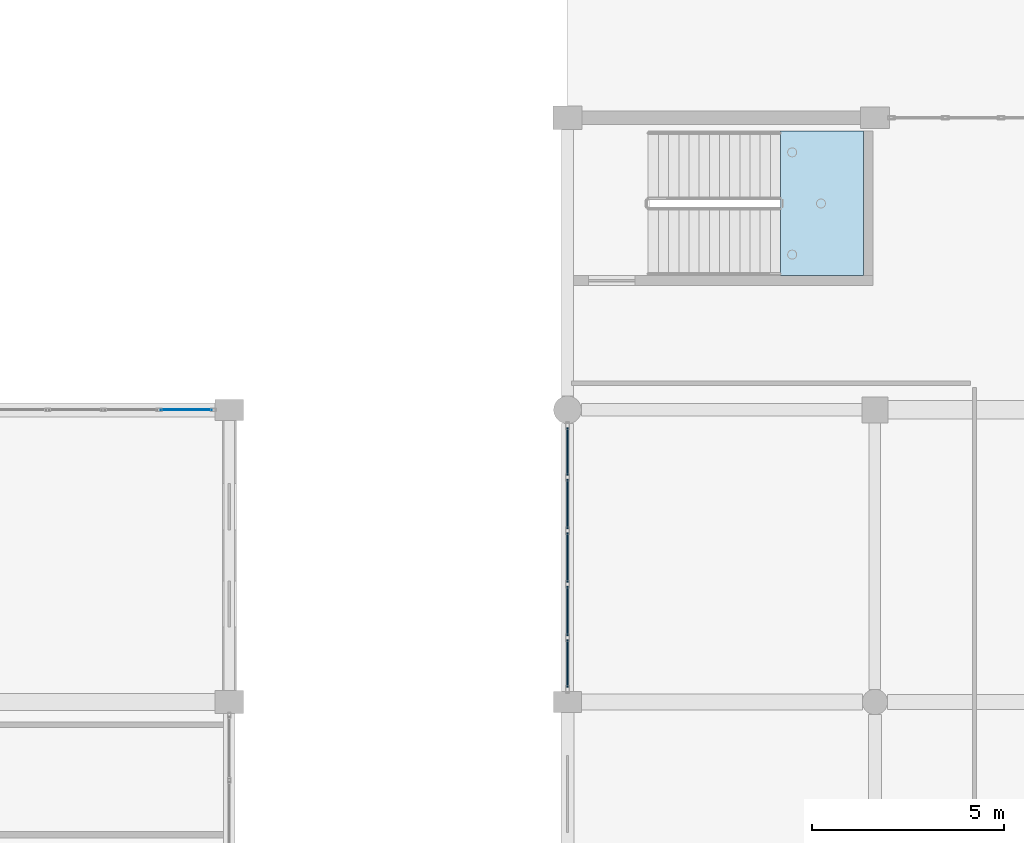
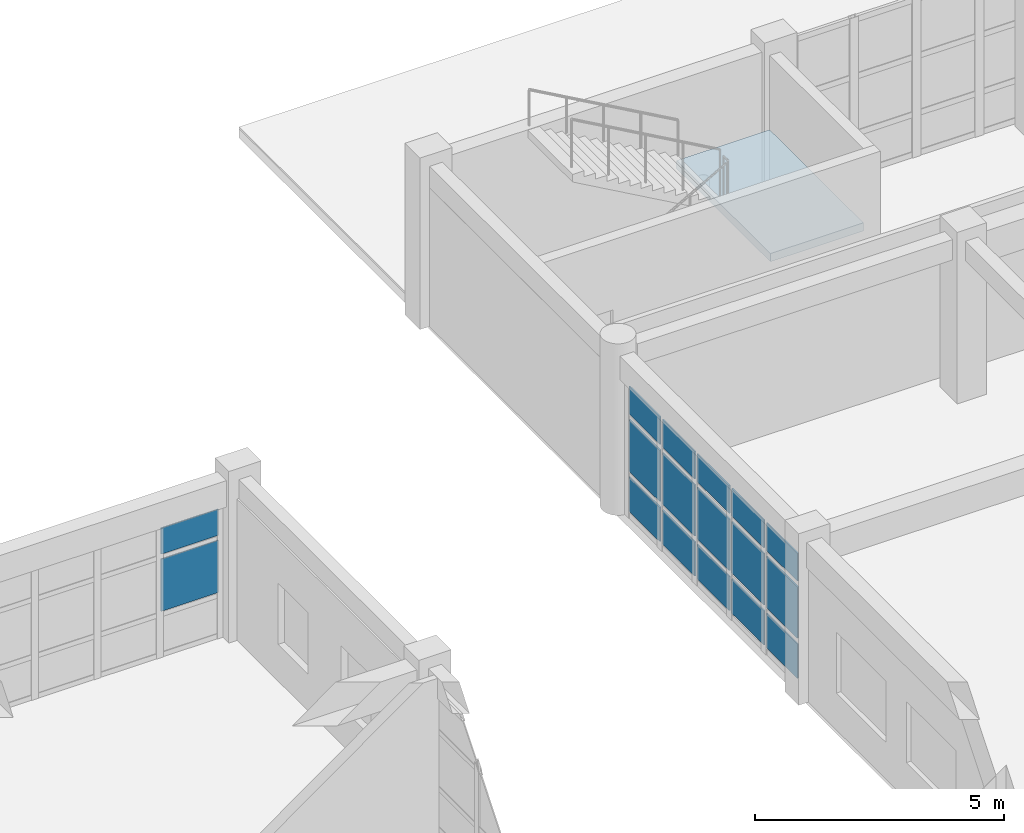
# One storey, part 147 of 195: 17 plates, 1 slab, 3 elements without a shape of their own.
"""IFC4 building model written with IfcOpenShell, lengths in metres."""

from ifc_helpers import new_model, si_unit, direction, frame, origin, origin_2d, place, context, subcontext, project, spatial, polyline, rectangle, outline, extrude, material, layer, layer_set, type_object, element, aggregate, save


model = new_model("IFC4")

# Units and contexts
model_context = context("Model", 3, precision=1e-05, world=origin(), true_north=direction((0.0, 1.0)))
body_context = subcontext(model_context, "Body", "Model", "MODEL_VIEW")
ifc_project = project(units=[si_unit("LENGTHUNIT", "METRE"), si_unit("AREAUNIT", "SQUARE_METRE"), si_unit("VOLUMEUNIT", "CUBIC_METRE"), si_unit("PLANEANGLEUNIT", "RADIAN"), si_unit("MASSUNIT", "GRAM", prefix="KILO")], contexts=[model_context])

# Site, building, storey
site_placement = place(None, origin())
site = spatial("IfcSite", under=ifc_project, at=site_placement, CompositionType="ELEMENT")
building_placement = place(site_placement, origin())
building = spatial("IfcBuilding", under=site, at=building_placement, Name="Kharva Crest Polytechnic", CompositionType="ELEMENT")
storey_placement = place(building_placement, frame((0.0, 0.0, 9.0)))
storey = spatial("IfcBuildingStorey", under=building, at=storey_placement, Name="L02", CompositionType="ELEMENT", Elevation=9.0)

# Curtain wall, plates
ifc_material_1 = material(Name="Tempered insulated glass", Category="glass")
curtain_wall_type_1 = type_object("IfcCurtainWallType", Name="CW-SYS-COURT", PredefinedType="USERDEFINED", material=ifc_material_1)
curtain_wall_1_placement = place(storey_placement, origin())
curtain_wall_1 = element("IfcCurtainWall", 1, at=curtain_wall_1_placement, inside=storey, type_object=curtain_wall_type_1, Name="L02 Glazed Curtain Wall CW-081", ObjectType="CURTAIN WALL", PredefinedType="USERDEFINED")
ifc_layer_1 = layer(ifc_material_1, 0.02392578125, Name="Tempered insulated glass")
ifc_layer_set_1 = layer_set([ifc_layer_1], Name="Tempered insulated glass")
plate_type_1 = type_object("IfcPlateType", Name="CWP-GLZ-24", PredefinedType="CURTAIN_PANEL", material=ifc_layer_set_1)
plate_1_placement = place(storey_placement, frame((110.8759765625, 22.800048828125, 1.10986328125), z_axis=(0.0, 0.0, 1.0), x_axis=(-1.0, 0.0, 0.0)))
plate_1 = element("IfcPlate", 2, at=plate_1_placement, type_object=plate_type_1, Name="CW-081 panel 1.2", PredefinedType="CURTAIN_PANEL", context=body_context, shape_type="SweptSolid", body=[
    extrude(rectangle(XDim=1.327880859375, YDim=0.02392578125, at=origin_2d()), origin(), (0.0, 0.0, 1.0), 1.280029296875),
])
plate_2_placement = place(storey_placement, frame((110.8759765625, 22.800048828125, 2.51025390625), z_axis=(0.0, 0.0, 1.0), x_axis=(-1.0, 0.0, 0.0)))
plate_2 = element("IfcPlate", 3, at=plate_2_placement, type_object=plate_type_1, Name="CW-081 panel 1.3", PredefinedType="CURTAIN_PANEL", context=body_context, shape_type="SweptSolid", body=[
    extrude(rectangle(XDim=1.327880859375, YDim=0.02392578125, at=origin_2d()), origin(), (0.0, 0.0, 1.0), 0.639892578125),
])
aggregate(curtain_wall_1, [plate_1, plate_2])

curtain_wall_type_2 = type_object("IfcCurtainWallType", Name="CW-SYS-REFECTORY", PredefinedType="USERDEFINED", material=ifc_material_1)
curtain_wall_2_placement = place(storey_placement, origin())
curtain_wall_2 = element("IfcCurtainWall", 4, at=curtain_wall_2_placement, inside=storey, type_object=curtain_wall_type_2, Name="L02 Glazed Curtain Wall CW-092", ObjectType="CURTAIN WALL", PredefinedType="USERDEFINED")
ifc_layer_2 = layer(ifc_material_1, 0.030029296875, Name="Tempered insulated glass")
ifc_layer_set_2 = layer_set([ifc_layer_2], Name="Tempered insulated glass")
plate_type_2 = type_object("IfcPlateType", Name="CWP-GLZ-30", PredefinedType="CURTAIN_PANEL", material=ifc_layer_set_2)
plate_3_placement = place(storey_placement, frame((120.800048828125, 21.714599609375, 0.14013671875), z_axis=(0.0, 0.0, 1.0), x_axis=(0.0, -1.0, 0.0)))
plate_3 = element("IfcPlate", 5, at=plate_3_placement, type_object=plate_type_2, Name="CW-092 panel 1.1", PredefinedType="CURTAIN_PANEL", context=body_context, shape_type="SweptSolid", body=[
    extrude(rectangle(XDim=1.240966796875, YDim=0.030029296875, at=origin_2d()), origin(), (0.0, 0.0, 1.0), 0.840087890625),
])
plate_4_placement = place(storey_placement, frame((120.800048828125, 21.714599609375, 1.1201171875), z_axis=(0.0, 0.0, 1.0), x_axis=(0.0, -1.0, 0.0)))
plate_4 = element("IfcPlate", 6, at=plate_4_placement, type_object=plate_type_2, Name="CW-092 panel 1.2", PredefinedType="CURTAIN_PANEL", context=body_context, shape_type="SweptSolid", body=[
    extrude(rectangle(XDim=1.240966796875, YDim=0.030029296875, at=origin_2d()), origin(), (0.0, 0.0, 1.0), 1.260009765625),
])
plate_5_placement = place(storey_placement, frame((120.800048828125, 21.714599609375, 2.52001953125), z_axis=(0.0, 0.0, 1.0), x_axis=(0.0, -1.0, 0.0)))
plate_5 = element("IfcPlate", 7, at=plate_5_placement, type_object=plate_type_2, Name="CW-092 panel 1.3", PredefinedType="CURTAIN_PANEL", context=body_context, shape_type="SweptSolid", body=[
    extrude(rectangle(XDim=1.240966796875, YDim=0.030029296875, at=origin_2d()), origin(), (0.0, 0.0, 1.0), 0.679931640625),
])
plate_6_placement = place(storey_placement, frame((120.800048828125, 20.348388671875, 0.14013671875), z_axis=(0.0, 0.0, 1.0), x_axis=(0.0, -1.0, 0.0)))
plate_6 = element("IfcPlate", 8, at=plate_6_placement, type_object=plate_type_2, Name="CW-092 panel 2.1", PredefinedType="CURTAIN_PANEL", context=body_context, shape_type="SweptSolid", body=[
    extrude(rectangle(XDim=1.291015625, YDim=0.030029296875, at=origin_2d()), origin(), (0.0, 0.0, 1.0), 0.840087890625),
])
plate_7_placement = place(storey_placement, frame((120.800048828125, 20.348388671875, 1.1201171875), z_axis=(0.0, 0.0, 1.0), x_axis=(0.0, -1.0, 0.0)))
plate_7 = element("IfcPlate", 9, at=plate_7_placement, type_object=plate_type_2, Name="CW-092 panel 2.2", PredefinedType="CURTAIN_PANEL", context=body_context, shape_type="SweptSolid", body=[
    extrude(rectangle(XDim=1.291015625, YDim=0.030029296875, at=origin_2d()), origin(), (0.0, 0.0, 1.0), 1.260009765625),
])
plate_8_placement = place(storey_placement, frame((120.800048828125, 20.348388671875, 2.52001953125), z_axis=(0.0, 0.0, 1.0), x_axis=(0.0, -1.0, 0.0)))
plate_8 = element("IfcPlate", 10, at=plate_8_placement, type_object=plate_type_2, Name="CW-092 panel 2.3", PredefinedType="CURTAIN_PANEL", context=body_context, shape_type="SweptSolid", body=[
    extrude(rectangle(XDim=1.291015625, YDim=0.030029296875, at=origin_2d()), origin(), (0.0, 0.0, 1.0), 0.679931640625),
])
plate_9_placement = place(storey_placement, frame((120.800048828125, 18.95751953125, 0.14013671875), z_axis=(0.0, 0.0, 1.0), x_axis=(0.0, -1.0, 0.0)))
plate_9 = element("IfcPlate", 11, at=plate_9_placement, type_object=plate_type_2, Name="CW-092 panel 3.1", PredefinedType="CURTAIN_PANEL", context=body_context, shape_type="SweptSolid", body=[
    extrude(rectangle(XDim=1.291015625, YDim=0.030029296875, at=origin_2d()), origin(), (0.0, 0.0, 1.0), 0.840087890625),
])
plate_10_placement = place(storey_placement, frame((120.800048828125, 18.95751953125, 1.1201171875), z_axis=(0.0, 0.0, 1.0), x_axis=(0.0, -1.0, 0.0)))
plate_10 = element("IfcPlate", 12, at=plate_10_placement, type_object=plate_type_2, Name="CW-092 panel 3.2", PredefinedType="CURTAIN_PANEL", context=body_context, shape_type="SweptSolid", body=[
    extrude(rectangle(XDim=1.291015625, YDim=0.030029296875, at=origin_2d()), origin(), (0.0, 0.0, 1.0), 1.260009765625),
])
plate_11_placement = place(storey_placement, frame((120.800048828125, 18.95751953125, 2.52001953125), z_axis=(0.0, 0.0, 1.0), x_axis=(0.0, -1.0, 0.0)))
plate_11 = element("IfcPlate", 13, at=plate_11_placement, type_object=plate_type_2, Name="CW-092 panel 3.3", PredefinedType="CURTAIN_PANEL", context=body_context, shape_type="SweptSolid", body=[
    extrude(rectangle(XDim=1.291015625, YDim=0.030029296875, at=origin_2d()), origin(), (0.0, 0.0, 1.0), 0.679931640625),
])
plate_12_placement = place(storey_placement, frame((120.800048828125, 17.56640625, 0.14013671875), z_axis=(0.0, 0.0, 1.0), x_axis=(0.0, -1.0, 0.0)))
plate_12 = element("IfcPlate", 14, at=plate_12_placement, type_object=plate_type_2, Name="CW-092 panel 4.1", PredefinedType="CURTAIN_PANEL", context=body_context, shape_type="SweptSolid", body=[
    extrude(rectangle(XDim=1.291015625, YDim=0.030029296875, at=origin_2d()), origin(), (0.0, 0.0, 1.0), 0.840087890625),
])
plate_13_placement = place(storey_placement, frame((120.800048828125, 17.56640625, 1.1201171875), z_axis=(0.0, 0.0, 1.0), x_axis=(0.0, -1.0, 0.0)))
plate_13 = element("IfcPlate", 15, at=plate_13_placement, type_object=plate_type_2, Name="CW-092 panel 4.2", PredefinedType="CURTAIN_PANEL", context=body_context, shape_type="SweptSolid", body=[
    extrude(rectangle(XDim=1.291015625, YDim=0.030029296875, at=origin_2d()), origin(), (0.0, 0.0, 1.0), 1.260009765625),
])
plate_14_placement = place(storey_placement, frame((120.800048828125, 17.56640625, 2.52001953125), z_axis=(0.0, 0.0, 1.0), x_axis=(0.0, -1.0, 0.0)))
plate_14 = element("IfcPlate", 16, at=plate_14_placement, type_object=plate_type_2, Name="CW-092 panel 4.3", PredefinedType="CURTAIN_PANEL", context=body_context, shape_type="SweptSolid", body=[
    extrude(rectangle(XDim=1.291015625, YDim=0.030029296875, at=origin_2d()), origin(), (0.0, 0.0, 1.0), 0.679931640625),
])
plate_15_placement = place(storey_placement, frame((120.800048828125, 16.200439453125, 0.14013671875), z_axis=(0.0, 0.0, 1.0), x_axis=(0.0, -1.0, 0.0)))
plate_15 = element("IfcPlate", 17, at=plate_15_placement, type_object=plate_type_2, Name="CW-092 panel 5.1", PredefinedType="CURTAIN_PANEL", context=body_context, shape_type="SweptSolid", body=[
    extrude(rectangle(XDim=1.240966796875, YDim=0.030029296875, at=origin_2d()), origin(), (0.0, 0.0, 1.0), 0.840087890625),
])
plate_16_placement = place(storey_placement, frame((120.800048828125, 16.200439453125, 1.1201171875), z_axis=(0.0, 0.0, 1.0), x_axis=(0.0, -1.0, 0.0)))
plate_16 = element("IfcPlate", 18, at=plate_16_placement, type_object=plate_type_2, Name="CW-092 panel 5.2", PredefinedType="CURTAIN_PANEL", context=body_context, shape_type="SweptSolid", body=[
    extrude(rectangle(XDim=1.240966796875, YDim=0.030029296875, at=origin_2d()), origin(), (0.0, 0.0, 1.0), 1.260009765625),
])
plate_17_placement = place(storey_placement, frame((120.800048828125, 16.200439453125, 2.52001953125), z_axis=(0.0, 0.0, 1.0), x_axis=(0.0, -1.0, 0.0)))
plate_17 = element("IfcPlate", 19, at=plate_17_placement, type_object=plate_type_2, Name="CW-092 panel 5.3", PredefinedType="CURTAIN_PANEL", context=body_context, shape_type="SweptSolid", body=[
    extrude(rectangle(XDim=1.240966796875, YDim=0.030029296875, at=origin_2d()), origin(), (0.0, 0.0, 1.0), 0.679931640625),
])
aggregate(curtain_wall_2, [plate_3, plate_4, plate_5, plate_6, plate_7, plate_8, plate_9, plate_10, plate_11, plate_12, plate_13, plate_14, plate_15, plate_16, plate_17])

# Stair, slab
ifc_material_2 = material(Name="Concrete C35/45", Category="concrete")
stair_type = type_object("IfcStairType", Name="STR-DOGLEG-1790", PredefinedType="TWO_STRAIGHT_RUN_STAIR", material=ifc_material_2)
stair_placement = place(storey_placement, origin())
stair = element("IfcStair", 20, at=stair_placement, inside=storey, type_object=stair_type, Name="L02 South-East Escarpment Secondary Stair C7", PredefinedType="TWO_STRAIGHT_RUN_STAIR")
ifc_layer_3 = layer(ifc_material_2, 0.199951171875, Name="Concrete C35/45")
ifc_layer_set_3 = layer_set([ifc_layer_3], Name="Concrete C35/45")
slab_type = type_object("IfcSlabType", Name="SLB-LAND-200", PredefinedType="LANDING", material=ifc_layer_set_3)
slab_placement = place(storey_placement, frame((0.0, 0.0, 1.89990234375)))
slab = element("IfcSlab", 21, at=slab_placement, type_object=slab_type, Name="ST-07 landing 1", PredefinedType="LANDING", context=body_context, shape_type="SweptSolid", body=[
    extrude(outline(polyline([(126.344970703125, 26.2900390625), (128.5, 26.2900390625), (128.5, 30.050048828125), (126.344970703125, 30.050048828125), (126.344970703125, 26.2900390625)])), origin(), (0.0, 0.0, 1.0), 0.2001953125),
])
aggregate(stair, [slab])

save(model, "model.ifc")
